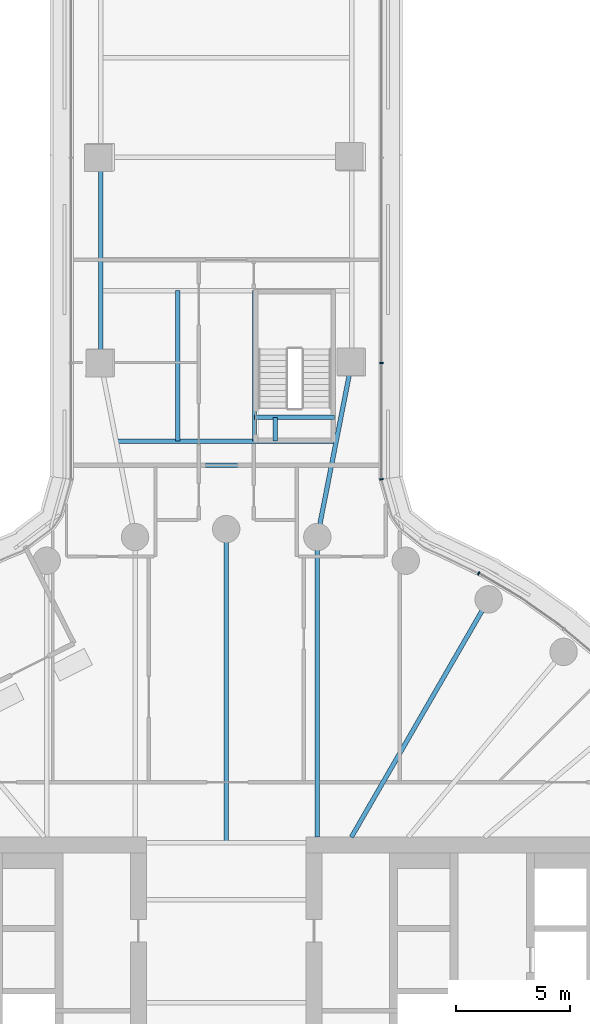
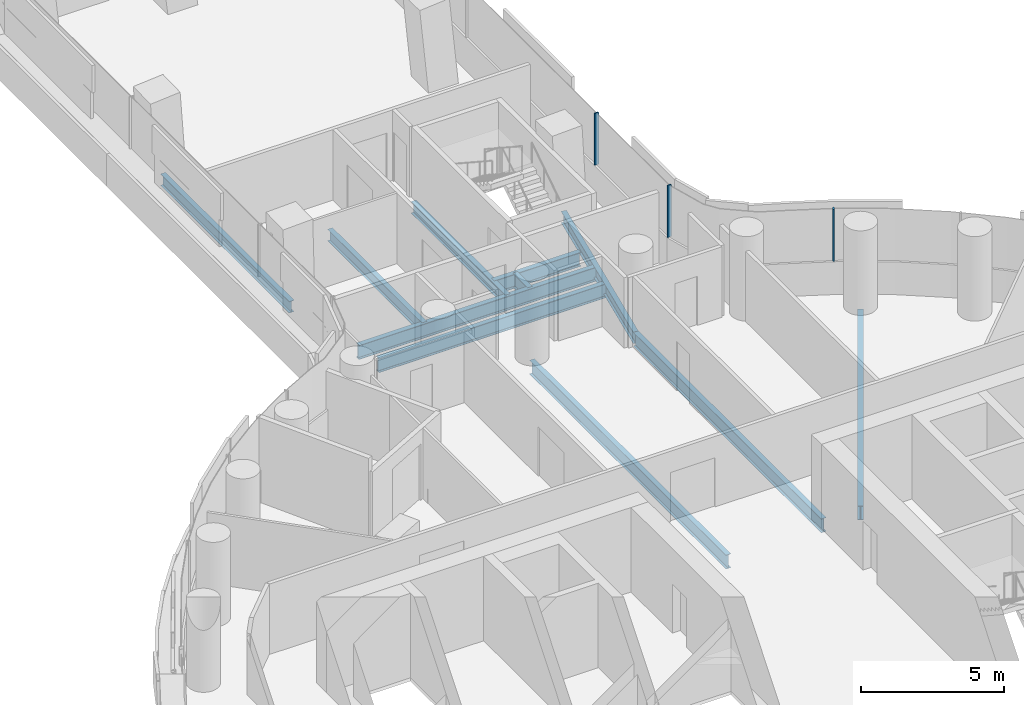
# One storey, part 14 of 32: 11 beams, 3 members, 2 elements without a shape of their own.
"""IFC4 building model written with IfcOpenShell, lengths in metres."""

from ifc_helpers import new_model, si_unit, direction, frame, origin, origin_2d, place, context, subcontext, project, spatial, rectangle, i_section, extrude, material, layer, layer_set, material_profile, profile_set, type_object, element, aggregate, save


model = new_model("IFC4")

# Units and contexts
model_context = context("Model", 3, precision=1e-05, world=origin(), true_north=direction((0.0, 1.0)))
body_context = subcontext(model_context, "Body", "Model", "MODEL_VIEW")
ifc_project = project(units=[si_unit("LENGTHUNIT", "METRE"), si_unit("AREAUNIT", "SQUARE_METRE"), si_unit("VOLUMEUNIT", "CUBIC_METRE"), si_unit("PLANEANGLEUNIT", "RADIAN"), si_unit("MASSUNIT", "GRAM", prefix="KILO")], contexts=[model_context])

# Site, building, storey
site_placement = place(None, origin())
site = spatial("IfcSite", under=ifc_project, at=site_placement, CompositionType="ELEMENT")
building_placement = place(site_placement, origin())
building = spatial("IfcBuilding", under=site, at=building_placement, Name="Tamarind Cross Interchange Tower", CompositionType="ELEMENT")
storey_placement = place(building_placement, frame((0.0, 0.0, 34.0)))
storey = spatial("IfcBuildingStorey", under=building, at=storey_placement, Name="L06", CompositionType="ELEMENT", Elevation=34.0)

# Beams
ifc_material_1 = material(Name="Steel Q355B", Category="steel")
ifc_material_profile_1 = material_profile(ifc_material_1, i_section(OverallWidth=0.198974609375, OverallDepth=0.49609375, WebThickness=0.009033203125, FlangeThickness=0.013916015625, FilletRadius=0.012939453125, at=origin_2d()), Name="HN 496x199x9x14")
ifc_profile_set_1 = profile_set([ifc_material_profile_1], Name="Steel Q355B")
beam_type_1 = type_object("IfcBeamType", Name="Composite beam HN 496x199x9x14 Q355B", PredefinedType="BEAM", material=ifc_profile_set_1)
beam_1_placement = place(storey_placement, frame((-5.5, 39.300048828125, -0.387939453125), z_axis=(0.0, -1.0, 0.0), x_axis=(1.0, 0.0, 0.0)))
element("IfcBeam", 1, at=beam_1_placement, inside=storey, type_object=beam_type_1, Name="Beam N-edgeep3", PredefinedType="BEAM", context=body_context, shape_type="SweptSolid", body=[
    extrude(i_section(OverallWidth=0.198974609375, OverallDepth=0.49609375, WebThickness=0.009033203125, FlangeThickness=0.013916015625, FilletRadius=0.012939453125, at=origin_2d()), origin(), (0.0, 0.0, 1.0), 9.0),
])
beam_2_placement = place(storey_placement, frame((5.5, 30.300048828125, -0.387939453125), z_axis=(-0.193182484014, -0.981162844726, 0.0), x_axis=(0.981162844726, -0.193182484014, 0.0)))
element("IfcBeam", 2, at=beam_2_placement, inside=storey, type_object=beam_type_1, Name="Beam N-linkem", PredefinedType="BEAM", context=body_context, shape_type="SweptSolid", body=[
    extrude(i_section(OverallWidth=0.198974609375, OverallDepth=0.49609375, WebThickness=0.009033203125, FlangeThickness=0.013916015625, FilletRadius=0.012939453125, at=origin_2d()), origin(), (0.0, 0.0, 1.0), 7.79638671875),
])
for number, where, z_axis, x_axis, name in (
    (3, (1.25, 26.85009765625, -0.387939453125), (0.0, 1.0, 0.0), (-1.0, 0.0, 0.0), "Beam N-tr1"),
    (4, (-2.125, 26.85009765625, -0.387939453125), (0.0, 1.0, 0.0), (-1.0, 0.0, 0.0), "Beam N-stripp"),
):
    element("IfcBeam", number, at=place(storey_placement, frame(where, z_axis=z_axis, x_axis=x_axis)), inside=storey, type_object=beam_type_1, Name=name, PredefinedType="BEAM", context=body_context, shape_type="SweptSolid", body=[
        extrude(i_section(OverallWidth=0.198974609375, OverallDepth=0.49609375, WebThickness=0.009033203125, FlangeThickness=0.013916015625, FilletRadius=0.012939453125, at=origin_2d()), origin(), (0.0, 0.0, 1.0), 6.599853515625),
    ])
ifc_material_profile_2 = material_profile(ifc_material_1, i_section(OverallWidth=0.198974609375, OverallDepth=0.595947265625, WebThickness=0.010009765625, FlangeThickness=0.014892578125, FilletRadius=0.012939453125, at=origin_2d()), Name="HN 596x199x10x15")
ifc_profile_set_2 = profile_set([ifc_material_profile_2], Name="Steel Q355B")
beam_type_2 = type_object("IfcBeamType", Name="Composite beam HN 596x199x10x15 Q355B", PredefinedType="BEAM", material=ifc_profile_set_2)
beam_3_placement = place(storey_placement, frame((11.5, 19.918701171875, -0.43798828125), z_axis=(-0.499993565836, -0.866029118519, 0.0), x_axis=(0.866029118519, -0.499993565836, 0.0)))
element("IfcBeam", 5, at=beam_3_placement, inside=storey, type_object=beam_type_2, Name="Beam HH06", PredefinedType="BEAM", context=body_context, shape_type="SweptSolid", body=[
    extrude(i_section(OverallWidth=0.198974609375, OverallDepth=0.595947265625, WebThickness=0.010009765625, FlangeThickness=0.014892578125, FilletRadius=0.012939453125, at=origin_2d()), origin(), (0.0, 0.0, 1.0), 12.030517578125),
])
beam_4_placement = place(storey_placement, frame((3.993896484375, 22.650634765625, -0.43798828125), z_axis=(0.0, -1.0, 0.0), x_axis=(1.0, 0.0, 0.0)))
element("IfcBeam", 6, at=beam_4_placement, inside=storey, type_object=beam_type_2, Name="Beam HH08", PredefinedType="BEAM", context=body_context, shape_type="SweptSolid", body=[
    extrude(i_section(OverallWidth=0.198974609375, OverallDepth=0.595947265625, WebThickness=0.010009765625, FlangeThickness=0.014892578125, FilletRadius=0.012939453125, at=origin_2d()), origin(), (0.0, 0.0, 1.0), 13.150634765625),
])
beam_5_placement = place(storey_placement, frame((0.0, 23.0, -0.43798828125), z_axis=(0.0, -1.0, 0.0), x_axis=(1.0, 0.0, 0.0)))
element("IfcBeam", 7, at=beam_5_placement, inside=storey, type_object=beam_type_2, Name="Beam HH09", PredefinedType="BEAM", context=body_context, shape_type="SweptSolid", body=[
    extrude(i_section(OverallWidth=0.198974609375, OverallDepth=0.595947265625, WebThickness=0.010009765625, FlangeThickness=0.014892578125, FilletRadius=0.012939453125, at=origin_2d()), origin(), (0.0, 0.0, 1.0), 13.75),
])
ifc_material_profile_3 = material_profile(ifc_material_1, i_section(OverallWidth=0.199951171875, OverallDepth=0.60009765625, WebThickness=0.010986328125, FlangeThickness=0.01708984375, FilletRadius=0.012939453125, at=origin_2d()), Name="HN 600x200x11x17")
ifc_profile_set_3 = profile_set([ifc_material_profile_3], Name="Steel Q355B")
beam_type_3 = type_object("IfcBeamType", Name="Composite beam HN 600x200x11x17 Q355B", PredefinedType="BEAM", material=ifc_profile_set_3)
beam_6_placement = place(storey_placement, frame((4.75, 27.89990234375, -0.43994140625), z_axis=(-1.0, 0.0, 0.0), x_axis=(0.0, -1.0, 0.0)))
element("IfcBeam", 8, at=beam_6_placement, inside=storey, type_object=beam_type_3, Name="Beam N-isl0", PredefinedType="BEAM", context=body_context, shape_type="SweptSolid", body=[
    extrude(i_section(OverallWidth=0.199951171875, OverallDepth=0.60009765625, WebThickness=0.010986328125, FlangeThickness=0.01708984375, FilletRadius=0.012939453125, at=origin_2d()), origin(), (0.0, 0.0, 1.0), 3.5),
])
beam_7_placement = place(storey_placement, frame((2.14990234375, 26.85009765625, -0.43994140625), z_axis=(0.0, 1.0, 0.0), x_axis=(-1.0, 0.0, 0.0)))
element("IfcBeam", 9, at=beam_7_placement, inside=storey, type_object=beam_type_3, Name="Beam N-isl1", PredefinedType="BEAM", context=body_context, shape_type="SweptSolid", body=[
    extrude(i_section(OverallWidth=0.199951171875, OverallDepth=0.60009765625, WebThickness=0.010986328125, FlangeThickness=0.01708984375, FilletRadius=0.012939453125, at=origin_2d()), origin(), (0.0, 0.0, 1.0), 1.0498046875),
])
beam_8_placement = place(storey_placement, frame((4.82080078125, 26.85009765625, -0.43994140625), z_axis=(-1.0, 0.0, 0.0), x_axis=(0.0, -1.0, 0.0)))
element("IfcBeam", 10, at=beam_8_placement, inside=storey, type_object=beam_type_3, Name="Beam N-x268", PredefinedType="BEAM", context=body_context, shape_type="SweptSolid", body=[
    extrude(i_section(OverallWidth=0.199951171875, OverallDepth=0.60009765625, WebThickness=0.010986328125, FlangeThickness=0.01708984375, FilletRadius=0.012939453125, at=origin_2d()), origin(), (0.0, 0.0, 1.0), 9.6416015625),
])
beam_9_placement = place(storey_placement, frame((4.614013671875, 25.800048828125, -0.43994140625), z_axis=(-1.0, 0.0, 0.0), x_axis=(0.0, -1.0, 0.0)))
element("IfcBeam", 11, at=beam_9_placement, inside=storey, type_object=beam_type_3, Name="Beam N-x258", PredefinedType="BEAM", context=body_context, shape_type="SweptSolid", body=[
    extrude(i_section(OverallWidth=0.199951171875, OverallDepth=0.60009765625, WebThickness=0.010986328125, FlangeThickness=0.01708984375, FilletRadius=0.012939453125, at=origin_2d()), origin(), (0.0, 0.0, 1.0), 9.22802734375),
])

# Curtain wall, members
ifc_material_2 = material(Name="Aluminium 6063-T6", Category="aluminium")
ifc_layer_1 = layer(ifc_material_2, 0.159912109375)
ifc_layer_set_1 = layer_set([ifc_layer_1], Name="Aluminium 6063-T6")
curtain_wall_type_1 = type_object("IfcCurtainWallType", Name="Office curtain wall, 9.0 m bays", PredefinedType="NOTDEFINED", material=ifc_layer_set_1)
curtain_wall_1_placement = place(storey_placement, origin())
curtain_wall_1 = element("IfcCurtainWall", 12, at=curtain_wall_1_placement, inside=storey, type_object=curtain_wall_type_1, Name="CWS-L06-12", PredefinedType="NOTDEFINED")
ifc_material_profile_4 = material_profile(ifc_material_2, rectangle(XDim=0.06005859375, YDim=0.159912109375, at=origin_2d()), Name="Mullion CW1")
ifc_profile_set_4 = profile_set([ifc_material_profile_4], Name="Aluminium 6063-T6")
member_type_1 = type_object("IfcMemberType", Name="Mullion CW1", PredefinedType="MULLION", material=ifc_profile_set_4)
member_1_placement = place(storey_placement, frame((6.800048828125, 25.181396484375, 1.39990234375), z_axis=(0.0, 0.0, 1.0), x_axis=(-0.135689119078, 0.990751463771, 0.0)))
member_1 = element("IfcMember", 13, at=member_1_placement, type_object=member_type_1, Name="CWM-L06-12-00", PredefinedType="MULLION", context=body_context, shape_type="SweptSolid", body=[
    extrude(rectangle(XDim=0.06005859375, YDim=0.159912109375, at=origin_2d()), origin(), (0.0, 0.0, 1.0), 2.210205078125),
])
member_2_placement = place(storey_placement, frame((6.800048828125, 30.27294921875, 1.39990234375), z_axis=(0.0, 0.0, 1.0), x_axis=(0.0, 1.0, 0.0)))
member_2 = element("IfcMember", 14, at=member_2_placement, type_object=member_type_1, Name="CWM-L06-12-01", PredefinedType="MULLION", context=body_context, shape_type="SweptSolid", body=[
    extrude(rectangle(XDim=0.06005859375, YDim=0.159912109375, at=origin_2d()), origin(), (0.0, 0.0, 1.0), 2.210205078125),
])
aggregate(curtain_wall_1, [member_1, member_2])

# Curtain wall, member
ifc_layer_2 = layer(ifc_material_2, 0.14990234375)
ifc_layer_set_2 = layer_set([ifc_layer_2], Name="Aluminium 6063-T6")
curtain_wall_type_2 = type_object("IfcCurtainWallType", Name="Winter garden and crown curtain wall", PredefinedType="NOTDEFINED", material=ifc_layer_set_2)
curtain_wall_2_placement = place(storey_placement, origin())
curtain_wall_2 = element("IfcCurtainWall", 15, at=curtain_wall_2_placement, inside=storey, type_object=curtain_wall_type_2, Name="CWS-L06-11", PredefinedType="NOTDEFINED")
ifc_material_profile_5 = material_profile(ifc_material_2, rectangle(XDim=0.06005859375, YDim=0.14990234375, at=origin_2d()), Name="Mullion CW6")
ifc_profile_set_5 = profile_set([ifc_material_profile_5], Name="Aluminium 6063-T6")
member_type_2 = type_object("IfcMemberType", Name="Mullion CW6", PredefinedType="MULLION", material=ifc_profile_set_5)
member_3_placement = place(storey_placement, frame((11.06396484375, 21.059326171875, 1.39990234375), z_axis=(0.0, 0.0, 1.0), x_axis=(-0.900272776334, 0.435326231914, 0.0)))
member_3 = element("IfcMember", 16, at=member_3_placement, type_object=member_type_2, Name="CWM-L06-11-04", PredefinedType="MULLION", context=body_context, shape_type="SweptSolid", body=[
    extrude(rectangle(XDim=0.06005859375, YDim=0.14990234375, at=origin_2d()), origin(), (0.0, 0.0, 1.0), 2.210205078125),
])
aggregate(curtain_wall_2, [member_3])

save(model, "model.ifc")
